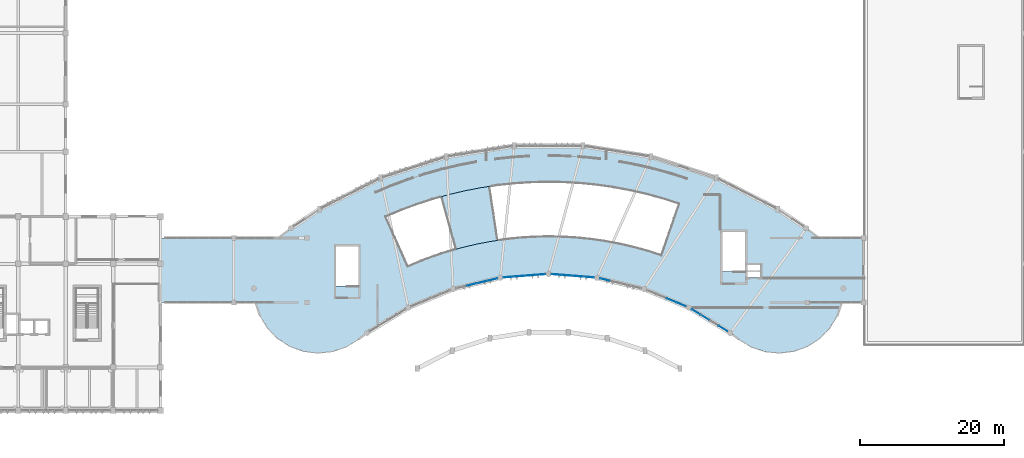
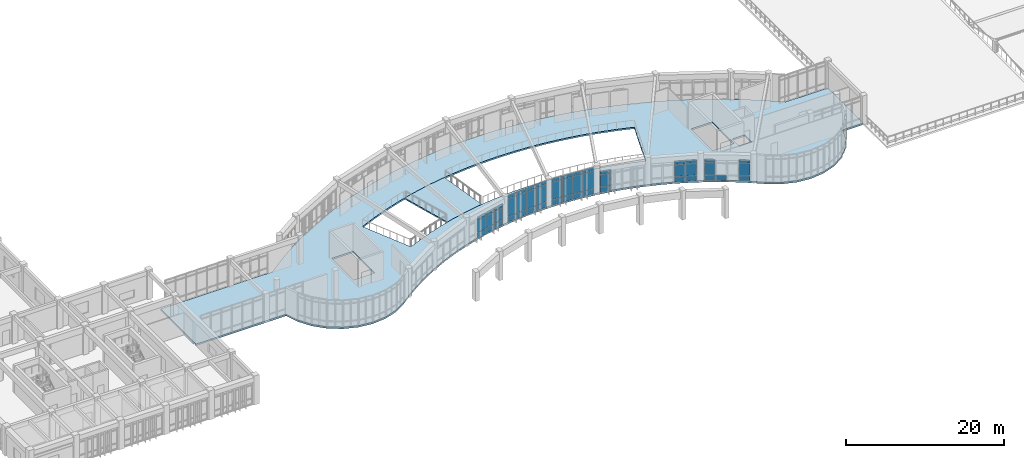
# One storey, part 35 of 54: 49 plates, 2 slabs, 10 elements without a shape of their own.
"""IFC4 building model written with IfcOpenShell, lengths in metres."""

from ifc_helpers import new_model, si_unit, direction, frame, origin, origin_2d, place, context, subcontext, project, spatial, polyline, rectangle, outline, extrude, material, layer, layer_set, type_object, element, aggregate, save


model = new_model("IFC4")

# Units and contexts
model_context = context("Model", 3, precision=1e-05, world=origin(), true_north=direction((0.0, 1.0)))
body_context = subcontext(model_context, "Body", "Model", "MODEL_VIEW")
ifc_project = project(units=[si_unit("LENGTHUNIT", "METRE"), si_unit("AREAUNIT", "SQUARE_METRE"), si_unit("VOLUMEUNIT", "CUBIC_METRE"), si_unit("PLANEANGLEUNIT", "RADIAN"), si_unit("MASSUNIT", "GRAM", prefix="KILO")], contexts=[model_context])

# Site, building, storey
site_placement = place(None, origin())
site = spatial("IfcSite", under=ifc_project, at=site_placement, CompositionType="ELEMENT")
building_placement = place(site_placement, origin())
building = spatial("IfcBuilding", under=site, at=building_placement, Name="Miralva Faculty of Natural Sciences", CompositionType="ELEMENT")
storey_placement = place(building_placement, frame((0.0, 0.0, 19.5)))
storey = spatial("IfcBuildingStorey", under=building, at=storey_placement, Name="L04", CompositionType="ELEMENT", Elevation=19.5)

# Curtain wall, plates
ifc_material_1 = material(Name="Laminated solar-control glass", Category="glass")
ifc_layer_1 = layer(ifc_material_1, 0.179931640625, Name="CW-ARC-L03")
ifc_layer_set_1 = layer_set([ifc_layer_1], Name="Laminated solar-control glass")
curtain_wall_type = type_object("IfcCurtainWallType", Name="CW-ARC-L03", PredefinedType="USERDEFINED", material=ifc_layer_set_1)
curtain_wall_1_placement = place(storey_placement, origin())
curtain_wall_1 = element("IfcCurtainWall", 1, at=curtain_wall_1_placement, inside=storey, type_object=curtain_wall_type, Name="Curtain wall CW-03 L04-161", ObjectType="UNITISED CURTAIN WALL", PredefinedType="USERDEFINED")
ifc_layer_2 = layer(ifc_material_1, 0.028076171875, Name="PNL-P01")
ifc_layer_set_2 = layer_set([ifc_layer_2], Name="Laminated solar-control glass")
plate_type = type_object("IfcPlateType", Name="PNL-P01", PredefinedType="CURTAIN_PANEL", material=ifc_layer_set_2)
plate_1_placement = place(storey_placement, frame((79.2529296875, 20.50537109375, 0.06494140625), z_axis=(0.0, 0.0, 1.0), x_axis=(0.972367185898, 0.233456753574, 0.0)))
plate_1 = element("IfcPlate", 2, at=plate_1_placement, type_object=plate_type, Name="CW-03 panel 2.1", PredefinedType="CURTAIN_PANEL", context=body_context, shape_type="SweptSolid", body=[
    extrude(rectangle(XDim=1.391845703125, YDim=0.028076171875, at=origin_2d()), origin(), (0.0, 0.0, 1.0), 0.802490234375),
])
plate_2_placement = place(storey_placement, frame((79.2529296875, 20.50537109375, 0.9326171875), z_axis=(0.0, 0.0, 1.0), x_axis=(0.972367185898, 0.233456753574, 0.0)))
plate_2 = element("IfcPlate", 3, at=plate_2_placement, type_object=plate_type, Name="CW-03 panel 2.2", PredefinedType="CURTAIN_PANEL", context=body_context, shape_type="SweptSolid", body=[
    extrude(rectangle(XDim=1.391845703125, YDim=0.028076171875, at=origin_2d()), origin(), (0.0, 0.0, 1.0), 1.840087890625),
])
plate_3_placement = place(storey_placement, frame((79.2529296875, 20.50537109375, 2.837646484375), z_axis=(0.0, 0.0, 1.0), x_axis=(0.972367185898, 0.233456753574, 0.0)))
plate_3 = element("IfcPlate", 4, at=plate_3_placement, type_object=plate_type, Name="CW-03 panel 2.3", PredefinedType="CURTAIN_PANEL", context=body_context, shape_type="SweptSolid", body=[
    extrude(rectangle(XDim=1.391845703125, YDim=0.028076171875, at=origin_2d()), origin(), (0.0, 0.0, 1.0), 0.50244140625),
])
aggregate(curtain_wall_1, [plate_1, plate_2, plate_3])

curtain_wall_2_placement = place(storey_placement, origin())
curtain_wall_2 = element("IfcCurtainWall", 5, at=curtain_wall_2_placement, inside=storey, type_object=curtain_wall_type, Name="Curtain wall CW-03 L04-162", ObjectType="UNITISED CURTAIN WALL", PredefinedType="USERDEFINED")
plate_4_placement = place(storey_placement, frame((80.72900390625, 20.85986328125, 0.06494140625), z_axis=(0.0, 0.0, 1.0), x_axis=(0.972365393914, 0.233464217213, 0.0)))
plate_4 = element("IfcPlate", 6, at=plate_4_placement, type_object=plate_type, Name="CW-03 panel 1.1", PredefinedType="CURTAIN_PANEL", context=body_context, shape_type="SweptSolid", body=[
    extrude(rectangle(XDim=1.394287109375, YDim=0.028076171875, at=origin_2d()), origin(), (0.0, 0.0, 1.0), 0.802490234375),
])
plate_5_placement = place(storey_placement, frame((80.72900390625, 20.85986328125, 0.9326171875), z_axis=(0.0, 0.0, 1.0), x_axis=(0.972365393914, 0.233464217213, 0.0)))
plate_5 = element("IfcPlate", 7, at=plate_5_placement, type_object=plate_type, Name="CW-03 panel 1.2", PredefinedType="CURTAIN_PANEL", context=body_context, shape_type="SweptSolid", body=[
    extrude(rectangle(XDim=1.394287109375, YDim=0.028076171875, at=origin_2d()), origin(), (0.0, 0.0, 1.0), 1.840087890625),
])
plate_6_placement = place(storey_placement, frame((80.72900390625, 20.85986328125, 2.837646484375), z_axis=(0.0, 0.0, 1.0), x_axis=(0.972365393914, 0.233464217213, 0.0)))
plate_6 = element("IfcPlate", 8, at=plate_6_placement, type_object=plate_type, Name="CW-03 panel 1.3", PredefinedType="CURTAIN_PANEL", context=body_context, shape_type="SweptSolid", body=[
    extrude(rectangle(XDim=1.394287109375, YDim=0.028076171875, at=origin_2d()), origin(), (0.0, 0.0, 1.0), 0.50244140625),
])
plate_7_placement = place(storey_placement, frame((82.148193359375, 21.200439453125, 0.06494140625), z_axis=(0.0, 0.0, 1.0), x_axis=(0.972365393914, 0.233464217213, 0.0)))
plate_7 = element("IfcPlate", 9, at=plate_7_placement, type_object=plate_type, Name="CW-03 panel 2.1", PredefinedType="CURTAIN_PANEL", context=body_context, shape_type="SweptSolid", body=[
    extrude(rectangle(XDim=1.394287109375, YDim=0.028076171875, at=origin_2d()), origin(), (0.0, 0.0, 1.0), 0.802490234375),
])
plate_8_placement = place(storey_placement, frame((82.148193359375, 21.200439453125, 0.9326171875), z_axis=(0.0, 0.0, 1.0), x_axis=(0.972365393914, 0.233464217213, 0.0)))
plate_8 = element("IfcPlate", 10, at=plate_8_placement, type_object=plate_type, Name="CW-03 panel 2.2", PredefinedType="CURTAIN_PANEL", context=body_context, shape_type="SweptSolid", body=[
    extrude(rectangle(XDim=1.394287109375, YDim=0.028076171875, at=origin_2d()), origin(), (0.0, 0.0, 1.0), 1.840087890625),
])
plate_9_placement = place(storey_placement, frame((82.148193359375, 21.200439453125, 2.837646484375), z_axis=(0.0, 0.0, 1.0), x_axis=(0.972365393914, 0.233464217213, 0.0)))
plate_9 = element("IfcPlate", 11, at=plate_9_placement, type_object=plate_type, Name="CW-03 panel 2.3", PredefinedType="CURTAIN_PANEL", context=body_context, shape_type="SweptSolid", body=[
    extrude(rectangle(XDim=1.394287109375, YDim=0.028076171875, at=origin_2d()), origin(), (0.0, 0.0, 1.0), 0.50244140625),
])
aggregate(curtain_wall_2, [plate_4, plate_5, plate_6, plate_7, plate_8, plate_9])

curtain_wall_3_placement = place(storey_placement, origin())
curtain_wall_3 = element("IfcCurtainWall", 12, at=curtain_wall_3_placement, inside=storey, type_object=curtain_wall_type, Name="Curtain wall CW-03 L04-163", ObjectType="UNITISED CURTAIN WALL", PredefinedType="USERDEFINED")
plate_10_placement = place(storey_placement, frame((84.418212890625, 21.560791015625, 0.06494140625), z_axis=(0.0, 0.0, 1.0), x_axis=(0.996917323414, 0.07845922685, 0.0)))
plate_10 = element("IfcPlate", 13, at=plate_10_placement, type_object=plate_type, Name="CW-03 panel 1.1", PredefinedType="CURTAIN_PANEL", context=body_context, shape_type="SweptSolid", body=[
    extrude(rectangle(XDim=1.39697265625, YDim=0.028076171875, at=origin_2d()), origin(), (0.0, 0.0, 1.0), 0.802490234375),
])
plate_11_placement = place(storey_placement, frame((84.418212890625, 21.560791015625, 0.932373046875), z_axis=(0.0, 0.0, 1.0), x_axis=(0.996917323414, 0.07845922685, 0.0)))
plate_11 = element("IfcPlate", 14, at=plate_11_placement, type_object=plate_type, Name="CW-03 panel 1.2", PredefinedType="CURTAIN_PANEL", context=body_context, shape_type="SweptSolid", body=[
    extrude(rectangle(XDim=1.39697265625, YDim=0.028076171875, at=origin_2d()), origin(), (0.0, 0.0, 1.0), 2.68505859375),
])
plate_12_placement = place(storey_placement, frame((84.418212890625, 21.560791015625, 3.6826171875), z_axis=(0.0, 0.0, 1.0), x_axis=(0.996917323414, 0.07845922685, 0.0)))
plate_12 = element("IfcPlate", 15, at=plate_12_placement, type_object=plate_type, Name="CW-03 panel 1.3", PredefinedType="CURTAIN_PANEL", context=body_context, shape_type="SweptSolid", body=[
    extrude(rectangle(XDim=1.39697265625, YDim=0.028076171875, at=origin_2d()), origin(), (0.0, 0.0, 1.0), 0.50244140625),
])
plate_13_placement = place(storey_placement, frame((85.87548828125, 21.67529296875, 0.06494140625), z_axis=(0.0, 0.0, 1.0), x_axis=(0.996917323414, 0.07845922685, 0.0)))
plate_13 = element("IfcPlate", 16, at=plate_13_placement, type_object=plate_type, Name="CW-03 panel 2.1", PredefinedType="CURTAIN_PANEL", context=body_context, shape_type="SweptSolid", body=[
    extrude(rectangle(XDim=1.39697265625, YDim=0.028076171875, at=origin_2d()), origin(), (0.0, 0.0, 1.0), 0.802490234375),
])
plate_14_placement = place(storey_placement, frame((85.87548828125, 21.67529296875, 0.932373046875), z_axis=(0.0, 0.0, 1.0), x_axis=(0.996917323414, 0.07845922685, 0.0)))
plate_14 = element("IfcPlate", 17, at=plate_14_placement, type_object=plate_type, Name="CW-03 panel 2.2", PredefinedType="CURTAIN_PANEL", context=body_context, shape_type="SweptSolid", body=[
    extrude(rectangle(XDim=1.39697265625, YDim=0.028076171875, at=origin_2d()), origin(), (0.0, 0.0, 1.0), 2.68505859375),
])
plate_15_placement = place(storey_placement, frame((85.87548828125, 21.67529296875, 3.6826171875), z_axis=(0.0, 0.0, 1.0), x_axis=(0.996917323414, 0.07845922685, 0.0)))
plate_15 = element("IfcPlate", 18, at=plate_15_placement, type_object=plate_type, Name="CW-03 panel 2.3", PredefinedType="CURTAIN_PANEL", context=body_context, shape_type="SweptSolid", body=[
    extrude(rectangle(XDim=1.39697265625, YDim=0.028076171875, at=origin_2d()), origin(), (0.0, 0.0, 1.0), 0.50244140625),
])
aggregate(curtain_wall_3, [plate_10, plate_11, plate_12, plate_13, plate_14, plate_15])

curtain_wall_4_placement = place(storey_placement, origin())
curtain_wall_4 = element("IfcCurtainWall", 19, at=curtain_wall_4_placement, inside=storey, type_object=curtain_wall_type, Name="Curtain wall CW-03 L04-164", ObjectType="UNITISED CURTAIN WALL", PredefinedType="USERDEFINED")
plate_16_placement = place(storey_placement, frame((87.39404296875, 21.794921875, 0.06494140625), z_axis=(0.0, 0.0, 1.0), x_axis=(0.996916948192, 0.078463994344, 0.0)))
plate_16 = element("IfcPlate", 20, at=plate_16_placement, type_object=plate_type, Name="CW-03 panel 1.1", PredefinedType="CURTAIN_PANEL", context=body_context, shape_type="SweptSolid", body=[
    extrude(rectangle(XDim=1.3994140625, YDim=0.028076171875, at=origin_2d()), origin(), (0.0, 0.0, 1.0), 0.802490234375),
])
plate_17_placement = place(storey_placement, frame((87.39404296875, 21.794921875, 0.932373046875), z_axis=(0.0, 0.0, 1.0), x_axis=(0.996916948192, 0.078463994344, 0.0)))
plate_17 = element("IfcPlate", 21, at=plate_17_placement, type_object=plate_type, Name="CW-03 panel 1.2", PredefinedType="CURTAIN_PANEL", context=body_context, shape_type="SweptSolid", body=[
    extrude(rectangle(XDim=1.3994140625, YDim=0.028076171875, at=origin_2d()), origin(), (0.0, 0.0, 1.0), 2.68505859375),
])
plate_18_placement = place(storey_placement, frame((87.39404296875, 21.794921875, 3.6826171875), z_axis=(0.0, 0.0, 1.0), x_axis=(0.996916948192, 0.078463994344, 0.0)))
plate_18 = element("IfcPlate", 22, at=plate_18_placement, type_object=plate_type, Name="CW-03 panel 1.3", PredefinedType="CURTAIN_PANEL", context=body_context, shape_type="SweptSolid", body=[
    extrude(rectangle(XDim=1.3994140625, YDim=0.028076171875, at=origin_2d()), origin(), (0.0, 0.0, 1.0), 0.50244140625),
])
plate_19_placement = place(storey_placement, frame((88.853759765625, 21.909912109375, 0.06494140625), z_axis=(0.0, 0.0, 1.0), x_axis=(0.996916948192, 0.078463994344, 0.0)))
plate_19 = element("IfcPlate", 23, at=plate_19_placement, type_object=plate_type, Name="CW-03 panel 2.1", PredefinedType="CURTAIN_PANEL", context=body_context, shape_type="SweptSolid", body=[
    extrude(rectangle(XDim=1.3994140625, YDim=0.028076171875, at=origin_2d()), origin(), (0.0, 0.0, 1.0), 0.802490234375),
])
plate_20_placement = place(storey_placement, frame((88.853759765625, 21.909912109375, 0.932373046875), z_axis=(0.0, 0.0, 1.0), x_axis=(0.996916948192, 0.078463994344, 0.0)))
plate_20 = element("IfcPlate", 24, at=plate_20_placement, type_object=plate_type, Name="CW-03 panel 2.2", PredefinedType="CURTAIN_PANEL", context=body_context, shape_type="SweptSolid", body=[
    extrude(rectangle(XDim=1.3994140625, YDim=0.028076171875, at=origin_2d()), origin(), (0.0, 0.0, 1.0), 2.68505859375),
])
plate_21_placement = place(storey_placement, frame((88.853759765625, 21.909912109375, 3.6826171875), z_axis=(0.0, 0.0, 1.0), x_axis=(0.996916948192, 0.078463994344, 0.0)))
plate_21 = element("IfcPlate", 25, at=plate_21_placement, type_object=plate_type, Name="CW-03 panel 2.3", PredefinedType="CURTAIN_PANEL", context=body_context, shape_type="SweptSolid", body=[
    extrude(rectangle(XDim=1.3994140625, YDim=0.028076171875, at=origin_2d()), origin(), (0.0, 0.0, 1.0), 0.50244140625),
])
aggregate(curtain_wall_4, [plate_16, plate_17, plate_18, plate_19, plate_20, plate_21])

curtain_wall_5_placement = place(storey_placement, origin())
curtain_wall_5 = element("IfcCurtainWall", 26, at=curtain_wall_5_placement, inside=storey, type_object=curtain_wall_type, Name="Curtain wall CW-03 L04-165", ObjectType="UNITISED CURTAIN WALL", PredefinedType="USERDEFINED")
plate_22_placement = place(storey_placement, frame((91.144775390625, 21.909912109375, 0.06494140625), z_axis=(0.0, 0.0, 1.0), x_axis=(0.99691711744, -0.078461843942, 0.0)))
plate_22 = element("IfcPlate", 27, at=plate_22_placement, type_object=plate_type, Name="CW-03 panel 1.1", PredefinedType="CURTAIN_PANEL", context=body_context, shape_type="SweptSolid", body=[
    extrude(rectangle(XDim=1.39697265625, YDim=0.028076171875, at=origin_2d()), origin(), (0.0, 0.0, 1.0), 0.802490234375),
])
plate_23_placement = place(storey_placement, frame((91.144775390625, 21.909912109375, 0.932373046875), z_axis=(0.0, 0.0, 1.0), x_axis=(0.99691711744, -0.078461843942, 0.0)))
plate_23 = element("IfcPlate", 28, at=plate_23_placement, type_object=plate_type, Name="CW-03 panel 1.2", PredefinedType="CURTAIN_PANEL", context=body_context, shape_type="SweptSolid", body=[
    extrude(rectangle(XDim=1.39697265625, YDim=0.028076171875, at=origin_2d()), origin(), (0.0, 0.0, 1.0), 2.68505859375),
])
plate_24_placement = place(storey_placement, frame((91.144775390625, 21.909912109375, 3.6826171875), z_axis=(0.0, 0.0, 1.0), x_axis=(0.99691711744, -0.078461843942, 0.0)))
plate_24 = element("IfcPlate", 29, at=plate_24_placement, type_object=plate_type, Name="CW-03 panel 1.3", PredefinedType="CURTAIN_PANEL", context=body_context, shape_type="SweptSolid", body=[
    extrude(rectangle(XDim=1.39697265625, YDim=0.028076171875, at=origin_2d()), origin(), (0.0, 0.0, 1.0), 0.50244140625),
])
plate_25_placement = place(storey_placement, frame((92.602294921875, 21.795166015625, 0.06494140625), z_axis=(0.0, 0.0, 1.0), x_axis=(0.99691711744, -0.078461843942, 0.0)))
plate_25 = element("IfcPlate", 30, at=plate_25_placement, type_object=plate_type, Name="CW-03 panel 2.1", PredefinedType="CURTAIN_PANEL", context=body_context, shape_type="SweptSolid", body=[
    extrude(rectangle(XDim=1.39697265625, YDim=0.028076171875, at=origin_2d()), origin(), (0.0, 0.0, 1.0), 0.802490234375),
])
plate_26_placement = place(storey_placement, frame((92.602294921875, 21.795166015625, 0.932373046875), z_axis=(0.0, 0.0, 1.0), x_axis=(0.99691711744, -0.078461843942, 0.0)))
plate_26 = element("IfcPlate", 31, at=plate_26_placement, type_object=plate_type, Name="CW-03 panel 2.2", PredefinedType="CURTAIN_PANEL", context=body_context, shape_type="SweptSolid", body=[
    extrude(rectangle(XDim=1.39697265625, YDim=0.028076171875, at=origin_2d()), origin(), (0.0, 0.0, 1.0), 2.68505859375),
])
plate_27_placement = place(storey_placement, frame((92.602294921875, 21.795166015625, 3.6826171875), z_axis=(0.0, 0.0, 1.0), x_axis=(0.99691711744, -0.078461843942, 0.0)))
plate_27 = element("IfcPlate", 32, at=plate_27_placement, type_object=plate_type, Name="CW-03 panel 2.3", PredefinedType="CURTAIN_PANEL", context=body_context, shape_type="SweptSolid", body=[
    extrude(rectangle(XDim=1.39697265625, YDim=0.028076171875, at=origin_2d()), origin(), (0.0, 0.0, 1.0), 0.50244140625),
])
aggregate(curtain_wall_5, [plate_22, plate_23, plate_24, plate_25, plate_26, plate_27])

curtain_wall_6_placement = place(storey_placement, origin())
curtain_wall_6 = element("IfcCurtainWall", 33, at=curtain_wall_6_placement, inside=storey, type_object=curtain_wall_type, Name="Curtain wall CW-03 L04-166", ObjectType="UNITISED CURTAIN WALL", PredefinedType="USERDEFINED")
plate_28_placement = place(storey_placement, frame((94.12060546875, 21.67578125, 0.06494140625), z_axis=(0.0, 0.0, 1.0), x_axis=(0.996917153831, -0.078461381568, 0.0)))
plate_28 = element("IfcPlate", 34, at=plate_28_placement, type_object=plate_type, Name="CW-03 panel 1.1", PredefinedType="CURTAIN_PANEL", context=body_context, shape_type="SweptSolid", body=[
    extrude(rectangle(XDim=1.3994140625, YDim=0.028076171875, at=origin_2d()), origin(), (0.0, 0.0, 1.0), 0.802490234375),
])
plate_29_placement = place(storey_placement, frame((94.12060546875, 21.67578125, 0.932373046875), z_axis=(0.0, 0.0, 1.0), x_axis=(0.996917153831, -0.078461381568, 0.0)))
plate_29 = element("IfcPlate", 35, at=plate_29_placement, type_object=plate_type, Name="CW-03 panel 1.2", PredefinedType="CURTAIN_PANEL", context=body_context, shape_type="SweptSolid", body=[
    extrude(rectangle(XDim=1.3994140625, YDim=0.028076171875, at=origin_2d()), origin(), (0.0, 0.0, 1.0), 2.68505859375),
])
plate_30_placement = place(storey_placement, frame((94.12060546875, 21.67578125, 3.6826171875), z_axis=(0.0, 0.0, 1.0), x_axis=(0.996917153831, -0.078461381568, 0.0)))
plate_30 = element("IfcPlate", 36, at=plate_30_placement, type_object=plate_type, Name="CW-03 panel 1.3", PredefinedType="CURTAIN_PANEL", context=body_context, shape_type="SweptSolid", body=[
    extrude(rectangle(XDim=1.3994140625, YDim=0.028076171875, at=origin_2d()), origin(), (0.0, 0.0, 1.0), 0.50244140625),
])
plate_31_placement = place(storey_placement, frame((95.58056640625, 21.560791015625, 0.06494140625), z_axis=(0.0, 0.0, 1.0), x_axis=(0.996917153831, -0.078461381568, 0.0)))
plate_31 = element("IfcPlate", 37, at=plate_31_placement, type_object=plate_type, Name="CW-03 panel 2.1", PredefinedType="CURTAIN_PANEL", context=body_context, shape_type="SweptSolid", body=[
    extrude(rectangle(XDim=1.3994140625, YDim=0.028076171875, at=origin_2d()), origin(), (0.0, 0.0, 1.0), 0.802490234375),
])
plate_32_placement = place(storey_placement, frame((95.58056640625, 21.560791015625, 0.932373046875), z_axis=(0.0, 0.0, 1.0), x_axis=(0.996917153831, -0.078461381568, 0.0)))
plate_32 = element("IfcPlate", 38, at=plate_32_placement, type_object=plate_type, Name="CW-03 panel 2.2", PredefinedType="CURTAIN_PANEL", context=body_context, shape_type="SweptSolid", body=[
    extrude(rectangle(XDim=1.3994140625, YDim=0.028076171875, at=origin_2d()), origin(), (0.0, 0.0, 1.0), 2.68505859375),
])
plate_33_placement = place(storey_placement, frame((95.58056640625, 21.560791015625, 3.6826171875), z_axis=(0.0, 0.0, 1.0), x_axis=(0.996917153831, -0.078461381568, 0.0)))
plate_33 = element("IfcPlate", 39, at=plate_33_placement, type_object=plate_type, Name="CW-03 panel 2.3", PredefinedType="CURTAIN_PANEL", context=body_context, shape_type="SweptSolid", body=[
    extrude(rectangle(XDim=1.3994140625, YDim=0.028076171875, at=origin_2d()), origin(), (0.0, 0.0, 1.0), 0.50244140625),
])
aggregate(curtain_wall_6, [plate_28, plate_29, plate_30, plate_31, plate_32, plate_33])

curtain_wall_7_placement = place(storey_placement, origin())
curtain_wall_7 = element("IfcCurtainWall", 40, at=curtain_wall_7_placement, inside=storey, type_object=curtain_wall_type, Name="Curtain wall CW-03 L04-167", ObjectType="UNITISED CURTAIN WALL", PredefinedType="USERDEFINED")
plate_34_placement = place(storey_placement, frame((97.8505859375, 21.20068359375, 0.06494140625), z_axis=(0.0, 0.0, 1.0), x_axis=(0.972367185898, -0.233456753574, 0.0)))
plate_34 = element("IfcPlate", 41, at=plate_34_placement, type_object=plate_type, Name="CW-03 panel 1.1", PredefinedType="CURTAIN_PANEL", context=body_context, shape_type="SweptSolid", body=[
    extrude(rectangle(XDim=1.391845703125, YDim=0.028076171875, at=origin_2d()), origin(), (0.0, 0.0, 1.0), 0.802490234375),
])
plate_35_placement = place(storey_placement, frame((97.8505859375, 21.20068359375, 0.9326171875), z_axis=(0.0, 0.0, 1.0), x_axis=(0.972367185898, -0.233456753574, 0.0)))
plate_35 = element("IfcPlate", 42, at=plate_35_placement, type_object=plate_type, Name="CW-03 panel 1.2", PredefinedType="CURTAIN_PANEL", context=body_context, shape_type="SweptSolid", body=[
    extrude(rectangle(XDim=1.391845703125, YDim=0.028076171875, at=origin_2d()), origin(), (0.0, 0.0, 1.0), 1.840087890625),
])
plate_36_placement = place(storey_placement, frame((97.8505859375, 21.20068359375, 2.837646484375), z_axis=(0.0, 0.0, 1.0), x_axis=(0.972367185898, -0.233456753574, 0.0)))
plate_36 = element("IfcPlate", 43, at=plate_36_placement, type_object=plate_type, Name="CW-03 panel 1.3", PredefinedType="CURTAIN_PANEL", context=body_context, shape_type="SweptSolid", body=[
    extrude(rectangle(XDim=1.391845703125, YDim=0.028076171875, at=origin_2d()), origin(), (0.0, 0.0, 1.0), 0.50244140625),
])
aggregate(curtain_wall_7, [plate_34, plate_35, plate_36])

curtain_wall_8_placement = place(storey_placement, origin())
curtain_wall_8 = element("IfcCurtainWall", 44, at=curtain_wall_8_placement, inside=storey, type_object=curtain_wall_type, Name="Curtain wall CW-03 L04-170", ObjectType="UNITISED CURTAIN WALL", PredefinedType="USERDEFINED")
plate_37_placement = place(storey_placement, frame((107.099609375, 18.316650390625, 0.06494140625), z_axis=(0.0, 0.0, 1.0), x_axis=(0.923874540591, -0.382695483705, 0.0)))
plate_37 = element("IfcPlate", 45, at=plate_37_placement, type_object=plate_type, Name="CW-03 panel 1.1", PredefinedType="CURTAIN_PANEL", context=body_context, shape_type="SweptSolid", body=[
    extrude(rectangle(XDim=1.38427734375, YDim=0.028076171875, at=origin_2d()), origin(), (0.0, 0.0, 1.0), 0.802490234375),
])
plate_38_placement = place(storey_placement, frame((107.099609375, 18.316650390625, 0.9326171875), z_axis=(0.0, 0.0, 1.0), x_axis=(0.923874540591, -0.382695483705, 0.0)))
plate_38 = element("IfcPlate", 46, at=plate_38_placement, type_object=plate_type, Name="CW-03 panel 1.2", PredefinedType="CURTAIN_PANEL", context=body_context, shape_type="SweptSolid", body=[
    extrude(rectangle(XDim=1.38427734375, YDim=0.028076171875, at=origin_2d()), origin(), (0.0, 0.0, 1.0), 1.840087890625),
])
plate_39_placement = place(storey_placement, frame((107.099609375, 18.316650390625, 2.837646484375), z_axis=(0.0, 0.0, 1.0), x_axis=(0.923874540591, -0.382695483705, 0.0)))
plate_39 = element("IfcPlate", 47, at=plate_39_placement, type_object=plate_type, Name="CW-03 panel 1.3", PredefinedType="CURTAIN_PANEL", context=body_context, shape_type="SweptSolid", body=[
    extrude(rectangle(XDim=1.38427734375, YDim=0.028076171875, at=origin_2d()), origin(), (0.0, 0.0, 1.0), 0.50244140625),
])
plate_40_placement = place(storey_placement, frame((108.438720703125, 17.761962890625, 0.06494140625), z_axis=(0.0, 0.0, 1.0), x_axis=(0.923874540591, -0.382695483705, 0.0)))
plate_40 = element("IfcPlate", 48, at=plate_40_placement, type_object=plate_type, Name="CW-03 panel 2.1", PredefinedType="CURTAIN_PANEL", context=body_context, shape_type="SweptSolid", body=[
    extrude(rectangle(XDim=1.38427734375, YDim=0.028076171875, at=origin_2d()), origin(), (0.0, 0.0, 1.0), 0.802490234375),
])
plate_41_placement = place(storey_placement, frame((108.438720703125, 17.761962890625, 0.9326171875), z_axis=(0.0, 0.0, 1.0), x_axis=(0.923874540591, -0.382695483705, 0.0)))
plate_41 = element("IfcPlate", 49, at=plate_41_placement, type_object=plate_type, Name="CW-03 panel 2.2", PredefinedType="CURTAIN_PANEL", context=body_context, shape_type="SweptSolid", body=[
    extrude(rectangle(XDim=1.38427734375, YDim=0.028076171875, at=origin_2d()), origin(), (0.0, 0.0, 1.0), 1.840087890625),
])
plate_42_placement = place(storey_placement, frame((108.438720703125, 17.761962890625, 2.837646484375), z_axis=(0.0, 0.0, 1.0), x_axis=(0.923874540591, -0.382695483705, 0.0)))
plate_42 = element("IfcPlate", 50, at=plate_42_placement, type_object=plate_type, Name="CW-03 panel 2.3", PredefinedType="CURTAIN_PANEL", context=body_context, shape_type="SweptSolid", body=[
    extrude(rectangle(XDim=1.38427734375, YDim=0.028076171875, at=origin_2d()), origin(), (0.0, 0.0, 1.0), 0.50244140625),
])
aggregate(curtain_wall_8, [plate_37, plate_38, plate_39, plate_40, plate_41, plate_42])

curtain_wall_9_placement = place(storey_placement, origin())
curtain_wall_9 = element("IfcCurtainWall", 51, at=curtain_wall_9_placement, inside=storey, type_object=curtain_wall_type, Name="Curtain wall CW-03 L04-171", ObjectType="UNITISED CURTAIN WALL", PredefinedType="USERDEFINED")
plate_43_placement = place(storey_placement, frame((110.5263671875, 16.697509765625, 0.06494140625), z_axis=(0.0, 0.0, 1.0), x_axis=(0.852649987617, -0.522482534269, 0.0)))
plate_43 = element("IfcPlate", 52, at=plate_43_placement, type_object=plate_type, Name="CW-03 panel 1.1", PredefinedType="CURTAIN_PANEL", context=body_context, shape_type="SweptSolid", body=[
    extrude(rectangle(XDim=1.376953125, YDim=0.028076171875, at=origin_2d()), origin(), (0.0, 0.0, 1.0), 0.802490234375),
])
plate_44_placement = place(storey_placement, frame((110.5263671875, 16.697509765625, 0.9326171875), z_axis=(0.0, 0.0, 1.0), x_axis=(0.852649987617, -0.522482534269, 0.0)))
plate_44 = element("IfcPlate", 53, at=plate_44_placement, type_object=plate_type, Name="CW-03 panel 1.2", PredefinedType="CURTAIN_PANEL", context=body_context, shape_type="SweptSolid", body=[
    extrude(rectangle(XDim=1.376953125, YDim=0.028076171875, at=origin_2d()), origin(), (0.0, 0.0, 1.0), 1.840087890625),
])
plate_45_placement = place(storey_placement, frame((110.5263671875, 16.697509765625, 2.837646484375), z_axis=(0.0, 0.0, 1.0), x_axis=(0.852649987617, -0.522482534269, 0.0)))
plate_45 = element("IfcPlate", 54, at=plate_45_placement, type_object=plate_type, Name="CW-03 panel 1.3", PredefinedType="CURTAIN_PANEL", context=body_context, shape_type="SweptSolid", body=[
    extrude(rectangle(XDim=1.376953125, YDim=0.028076171875, at=origin_2d()), origin(), (0.0, 0.0, 1.0), 0.50244140625),
])
plate_46_placement = place(storey_placement, frame((111.755859375, 15.944091796875, 0.06494140625), z_axis=(0.0, 0.0, 1.0), x_axis=(0.852649987617, -0.522482534269, 0.0)))
plate_46 = element("IfcPlate", 55, at=plate_46_placement, type_object=plate_type, Name="CW-03 panel 2.1", PredefinedType="CURTAIN_PANEL", context=body_context, shape_type="SweptSolid", body=[
    extrude(rectangle(XDim=1.376953125, YDim=0.028076171875, at=origin_2d()), origin(), (0.0, 0.0, 1.0), 0.802490234375),
])
aggregate(curtain_wall_9, [plate_43, plate_44, plate_45, plate_46])

curtain_wall_10_placement = place(storey_placement, origin())
curtain_wall_10 = element("IfcCurtainWall", 56, at=curtain_wall_10_placement, inside=storey, type_object=curtain_wall_type, Name="Curtain wall CW-03 L04-172", ObjectType="UNITISED CURTAIN WALL", PredefinedType="USERDEFINED")
plate_47_placement = place(storey_placement, frame((114.268798828125, 14.404052734375, 0.06494140625), z_axis=(0.0, 0.0, 1.0), x_axis=(0.852646014098, -0.522489018681, 0.0)))
plate_47 = element("IfcPlate", 57, at=plate_47_placement, type_object=plate_type, Name="CW-03 panel 2.1", PredefinedType="CURTAIN_PANEL", context=body_context, shape_type="SweptSolid", body=[
    extrude(rectangle(XDim=1.37939453125, YDim=0.028076171875, at=origin_2d()), origin(), (0.0, 0.0, 1.0), 0.802490234375),
])
plate_48_placement = place(storey_placement, frame((114.268798828125, 14.404052734375, 0.9326171875), z_axis=(0.0, 0.0, 1.0), x_axis=(0.852646014098, -0.522489018681, 0.0)))
plate_48 = element("IfcPlate", 58, at=plate_48_placement, type_object=plate_type, Name="CW-03 panel 2.2", PredefinedType="CURTAIN_PANEL", context=body_context, shape_type="SweptSolid", body=[
    extrude(rectangle(XDim=1.37939453125, YDim=0.028076171875, at=origin_2d()), origin(), (0.0, 0.0, 1.0), 1.840087890625),
])
plate_49_placement = place(storey_placement, frame((114.268798828125, 14.404052734375, 2.837646484375), z_axis=(0.0, 0.0, 1.0), x_axis=(0.852646014098, -0.522489018681, 0.0)))
plate_49 = element("IfcPlate", 59, at=plate_49_placement, type_object=plate_type, Name="CW-03 panel 2.3", PredefinedType="CURTAIN_PANEL", context=body_context, shape_type="SweptSolid", body=[
    extrude(rectangle(XDim=1.37939453125, YDim=0.028076171875, at=origin_2d()), origin(), (0.0, 0.0, 1.0), 0.50244140625),
])
aggregate(curtain_wall_10, [plate_47, plate_48, plate_49])

# Slabs
ifc_material_2 = material(Name="Concrete C40/50", Category="concrete")
ifc_layer_3 = layer(ifc_material_2, 0.239990234375, Name="SL-FL03")
ifc_layer_set_3 = layer_set([ifc_layer_3], Name="Concrete C40/50")
slab_type_1 = type_object("IfcSlabType", Name="SL-FL03", PredefinedType="FLOOR", material=ifc_layer_set_3)
slab_1_placement = place(storey_placement, frame((0.0, 0.0, -0.239990234375)))
element("IfcSlab", 60, at=slab_1_placement, inside=storey, type_object=slab_type_1, Name="V3 L04 floor slab", PredefinedType="FLOOR", context=body_context, shape_type="SweptSolid", body=[
    extrude(outline(polyline([(36.0, 27.0), (52.37451171875, 27.0), (52.444580078125, 27.068603515625), (54.34814453125, 28.496826171875), (56.3056640625, 29.849609375), (58.314697265625, 31.125244140625), (60.371826171875, 32.3212890625), (62.47412109375, 33.436279296875), (64.618408203125, 34.468505859375), (66.801025390625, 35.41650390625), (69.01904296875, 36.2783203125), (71.26904296875, 37.052978515625), (73.547607421875, 37.739501953125), (75.851318359375, 38.33642578125), (78.17626953125, 38.843017578125), (80.519287109375, 39.2587890625), (82.876953125, 39.582763671875), (85.2451171875, 39.814453125), (87.620849609375, 39.95361328125), (90.0, 40.0), (92.379150390625, 39.95361328125), (94.7548828125, 39.814453125), (97.123046875, 39.582763671875), (99.480712890625, 39.2587890625), (101.82373046875, 38.843017578125), (104.148681640625, 38.33642578125), (106.452392578125, 37.739501953125), (108.73095703125, 37.052978515625), (110.98095703125, 36.2783203125), (113.198974609375, 35.41650390625), (115.381591796875, 34.468505859375), (117.52587890625, 33.436279296875), (119.628173828125, 32.3212890625), (121.685302734375, 31.125244140625), (123.6943359375, 29.849609375), (125.65185546875, 28.496826171875), (127.555419921875, 27.068603515625), (127.62548828125, 27.0), (133.800048828125, 27.0), (133.800048828125, 18.0), (130.78759765625, 18.0), (130.808349609375, 18.0615234375), (130.16162109375, 16.152587890625), (129.1064453125, 14.435546875), (127.69580078125, 12.996337890625), (126.0, 11.9072265625), (124.1044921875, 11.22265625), (122.104248046875, 10.97705078125), (120.099365234375, 11.1826171875), (118.1904296875, 11.829345703125), (116.473388671875, 12.884521484375), (115.131591796875, 13.89111328125), (113.751708984375, 14.844970703125), (112.33544921875, 15.743896484375), (110.885498046875, 16.587158203125), (109.403564453125, 17.373291015625), (107.89208984375, 18.100830078125), (106.353515625, 18.768798828125), (104.789794921875, 19.37646484375), (103.20361328125, 19.922607421875), (101.59765625, 20.406494140625), (99.9736328125, 20.827392578125), (98.334716796875, 21.1845703125), (96.68310546875, 21.4775390625), (95.021240234375, 21.705810546875), (93.351806640625, 21.869140625), (91.677001953125, 21.96728515625), (90.0, 22.0), (88.322998046875, 21.96728515625), (86.648193359375, 21.869140625), (84.978759765625, 21.705810546875), (83.31689453125, 21.4775390625), (81.665283203125, 21.1845703125), (80.0263671875, 20.827392578125), (78.40234375, 20.406494140625), (76.79638671875, 19.922607421875), (75.210205078125, 19.37646484375), (73.646484375, 18.768798828125), (72.10791015625, 18.100830078125), (70.596435546875, 17.373291015625), (69.114501953125, 16.587158203125), (67.66455078125, 15.743896484375), (66.248291015625, 14.844970703125), (64.868408203125, 13.89111328125), (63.526611328125, 12.884521484375), (61.8095703125, 11.829345703125), (59.900634765625, 11.1826171875), (57.895751953125, 10.97705078125), (55.8955078125, 11.22265625), (54.0, 11.9072265625), (52.30419921875, 12.996337890625), (50.8935546875, 14.435546875), (49.83837890625, 16.152587890625), (49.21240234375, 18.0), (36.0, 18.0), (36.0, 27.0)]), holes=[polyline([(117.324951171875, 22.324951171875), (114.22509765625, 22.324951171875), (114.22509765625, 27.824951171875), (117.324951171875, 27.824951171875), (117.324951171875, 22.324951171875)]), polyline([(119.449951171875, 21.52490234375), (117.64990234375, 21.52490234375), (117.64990234375, 23.27490234375), (119.449951171875, 23.27490234375), (119.449951171875, 21.52490234375)]), polyline([(63.52490234375, 20.324951171875), (60.425048828125, 20.324951171875), (60.425048828125, 25.824951171875), (63.52490234375, 25.824951171875), (63.52490234375, 20.324951171875)]), polyline([(70.395263671875, 23.032958984375), (67.30419921875, 29.975830078125), (69.448486328125, 30.87744140625), (71.62890625, 31.689208984375), (73.841064453125, 32.408935546875), (76.081298828125, 33.0361328125), (78.345703125, 33.5693359375), (80.63037109375, 34.0078125), (82.931396484375, 34.3505859375), (85.244384765625, 34.596923828125), (87.56591796875, 34.746826171875), (89.891845703125, 34.7998046875), (92.2177734375, 34.755859375), (94.539794921875, 34.614990234375), (96.85400390625, 34.37744140625), (99.15625, 34.043701171875), (101.442626953125, 33.6142578125), (103.708984375, 33.089599609375), (105.951904296875, 32.47119140625), (108.166748046875, 31.760009765625), (105.6923828125, 24.573974609375), (103.779052734375, 25.1884765625), (101.841796875, 25.72265625), (99.88427734375, 26.17578125), (97.9091796875, 26.546630859375), (95.92041015625, 26.8349609375), (93.92138671875, 27.040283203125), (91.915771484375, 27.161865234375), (89.906494140625, 27.199951171875), (87.8974609375, 27.154052734375), (85.89208984375, 27.024658203125), (83.89404296875, 26.811767578125), (81.906494140625, 26.515625), (79.932861328125, 26.136962890625), (77.976806640625, 25.676513671875), (76.041748046875, 25.134765625), (74.131103515625, 24.5126953125), (72.247802734375, 23.811767578125), (70.395263671875, 23.032958984375)])]), origin(), (0.0, 0.0, 1.0), 0.239990234375),
])
ifc_layer_4 = layer(ifc_material_2, 0.199951171875, Name="SL-FL05")
ifc_layer_set_4 = layer_set([ifc_layer_4], Name="Concrete C40/50")
slab_type_2 = type_object("IfcSlabType", Name="SL-FL05", PredefinedType="FLOOR", material=ifc_layer_set_4)
slab_2_placement = place(storey_placement, frame((0.0, 0.0, -0.199951171875)))
element("IfcSlab", 61, at=slab_2_placement, inside=storey, type_object=slab_type_2, Name="Atrium Curved White Gallery Bridge L04", PredefinedType="FLOOR", context=body_context, shape_type="SweptSolid", body=[
    extrude(outline(polyline([(75.09130859375, 32.759033203125), (76.081298828125, 33.0361328125), (78.345703125, 33.5693359375), (80.63037109375, 34.0078125), (81.75390625, 34.175048828125), (82.877197265625, 26.66015625), (81.906494140625, 26.515625), (79.932861328125, 26.136962890625), (77.976806640625, 25.676513671875), (77.121826171875, 25.43701171875), (75.09130859375, 32.759033203125)])), origin(), (0.0, 0.0, 1.0), 0.199951171875),
])

save(model, "model.ifc")
